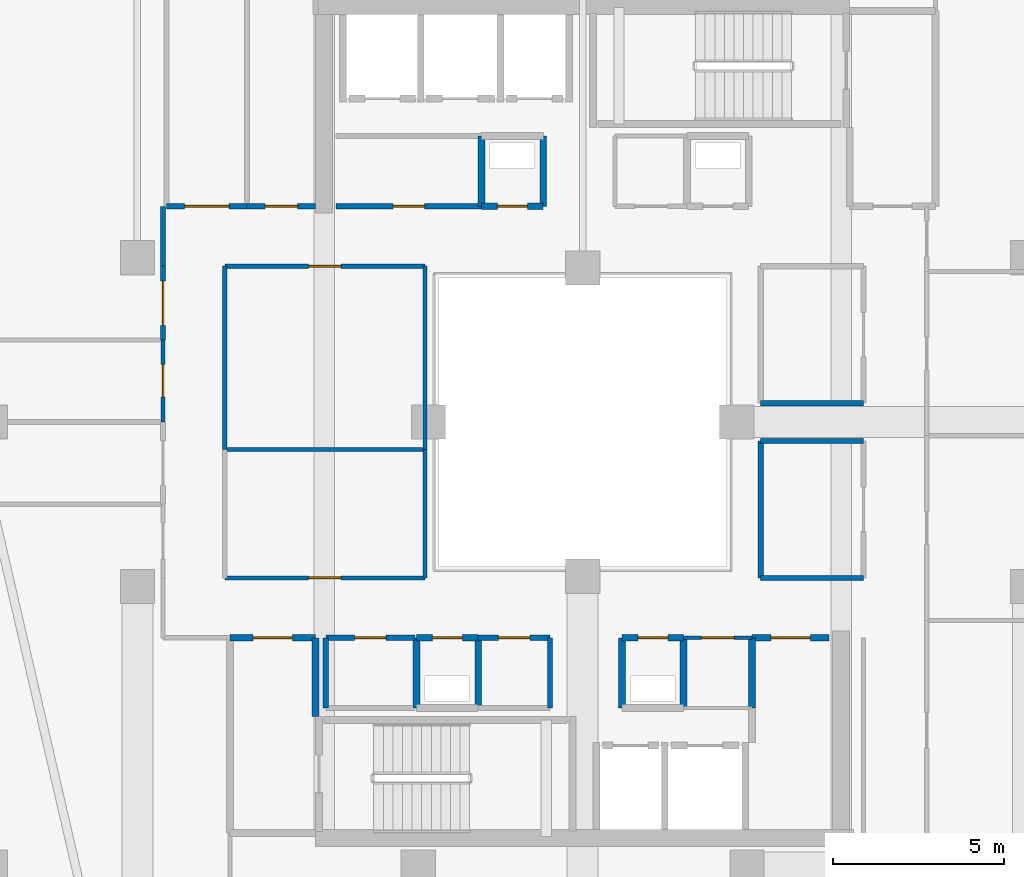
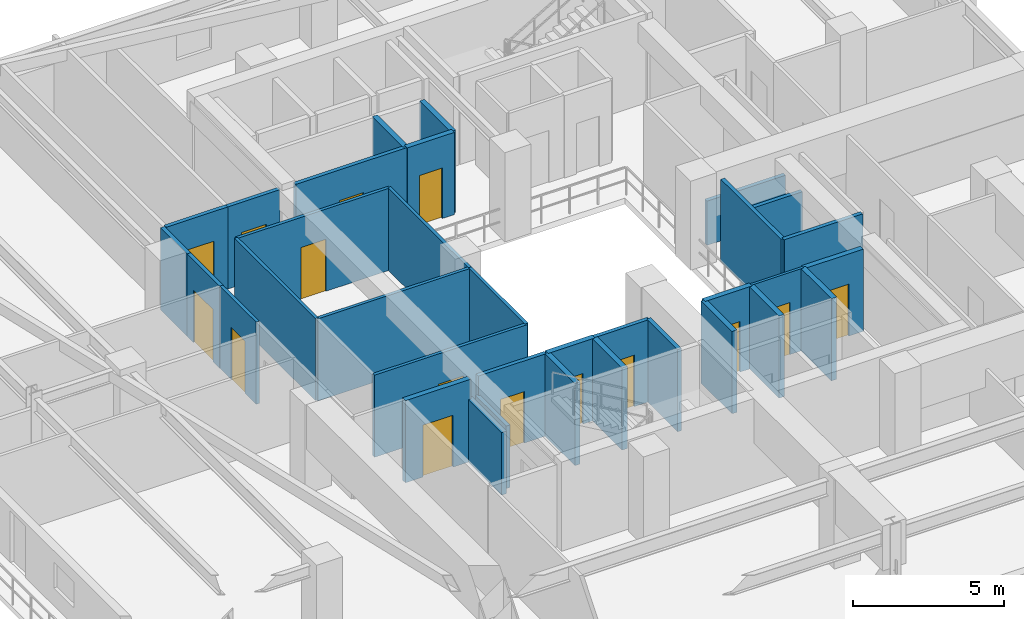
# One storey, part 21 of 34: 34 walls, 15 doors, 15 openings.
"""IFC4 building model written with IfcOpenShell, lengths in metres."""

import ifcopenshell
import ifcopenshell.guid

model = None  # the IFC model being written
_history = None  # IfcOwnerHistory: only IFC2X3 demands one
_inside = {}  # id of a spatial element -> (the spatial element, [elements in it])
_under = {}  # id of a project, library or spatial element -> (it, [spatial elements below it])
_declared = {}  # id of a project -> (the project, [libraries it declares])
_typed = {}  # id of a type object -> (the type object, [elements of that type])
_made_of = {}  # id of a material, layer set ... -> (it, [elements and type objects made of it])


def new_model(schema):
    """Start an empty IFC model of exactly this schema.

    Asked for "IFC4X3", IfcOpenShell would pick the latest addendum, in which some entities
    have other attributes; the version numbers below select the first issue.
    IFC2X3 requires an IfcOwnerHistory on every rooted entity: one is made here for all.
    """
    global model, _history
    if schema == "IFC4X3":
        model = ifcopenshell.file(schema_version=(4, 3, 0, 0))
    else:
        model = ifcopenshell.file(schema=schema)
    _inside.clear()
    _under.clear()
    _declared.clear()
    _typed.clear()
    _made_of.clear()
    _history = None
    if model.schema == "IFC2X3":
        org = make("IfcOrganization", Name="unknown")
        user = make(
            "IfcPersonAndOrganization",
            ThePerson=make("IfcPerson", FamilyName="unknown"),
            TheOrganization=org,
        )
        app = make(
            "IfcApplication",
            ApplicationDeveloper=org,
            Version="unknown",
            ApplicationFullName="unknown",
            ApplicationIdentifier="unknown",
        )
        _history = make(
            "IfcOwnerHistory",
            OwningUser=user,
            OwningApplication=app,
            ChangeAction="ADDED",
            CreationDate=0,
        )
    return model


def make(cls, **values):
    """One entity of the class cls with the attributes given. An attribute that is None is left unset."""
    return model.create_entity(
        cls, **{name: value for name, value in values.items() if value is not None}
    )


def rooted(cls, **values):
    """An entity with a GlobalId (a new one), such as an element, a storey or a relation."""
    return make(cls, GlobalId=ifcopenshell.guid.new(), OwnerHistory=_history, **values)


def si_unit(unit_type, name, prefix=None):
    """IfcSIUnit, for example si_unit("LENGTHUNIT", "METRE", prefix="MILLI")."""
    return make("IfcSIUnit", UnitType=unit_type, Prefix=prefix, Name=name)


def assignment(units):
    """IfcUnitAssignment: the units of a project."""
    return None if units is None else make("IfcUnitAssignment", Units=units)


def point(xyz):
    """IfcCartesianPoint."""
    return None if xyz is None else make("IfcCartesianPoint", Coordinates=xyz)


def direction(xyz):
    """IfcDirection."""
    return None if xyz is None else make("IfcDirection", DirectionRatios=xyz)


def frame(location, z_axis=None, x_axis=None):
    """IfcAxis2Placement3D, a coordinate frame: its origin and axes. An axis left out is left unset."""
    return make(
        "IfcAxis2Placement3D",
        Location=point(location),
        Axis=direction(z_axis),
        RefDirection=direction(x_axis),
    )


def frame_2d(location, x_axis=None):
    """IfcAxis2Placement2D, a coordinate frame in the plane: its origin and x axis."""
    return make(
        "IfcAxis2Placement2D", Location=point(location), RefDirection=direction(x_axis)
    )


def origin():
    """The frame at (0, 0, 0) with its axes left unset."""
    return frame((0.0, 0.0, 0.0))


def place(relative_to, where):
    """IfcLocalPlacement: puts the frame where relative to a parent placement (None: the world)."""
    return make(
        "IfcLocalPlacement", PlacementRelTo=relative_to, RelativePlacement=where
    )


def context(
    kind, dimensions, precision=None, world=None, true_north=None, identifier=None
):
    """IfcGeometricRepresentationContext, for example the 3D "Model" context."""
    return make(
        "IfcGeometricRepresentationContext",
        ContextIdentifier=identifier,
        ContextType=kind,
        CoordinateSpaceDimension=dimensions,
        Precision=precision,
        WorldCoordinateSystem=world,
        TrueNorth=true_north,
    )


def subcontext(parent, identifier, kind, view, scale=None):
    """IfcGeometricRepresentationSubContext, for example "Body" below "Model"."""
    return make(
        "IfcGeometricRepresentationSubContext",
        ContextIdentifier=identifier,
        ContextType=kind,
        ParentContext=parent,
        TargetScale=scale,
        TargetView=view,
    )


def project(units=None, contexts=None):
    """IfcProject with its units and contexts."""
    return rooted(
        "IfcProject",
        Name="project",
        RepresentationContexts=contexts,
        UnitsInContext=assignment(units),
    )


def spatial(cls, under=None, at=None, **own):
    """A site, building, storey or space (cls), placed at a placement, below another one or the project."""
    s = rooted(cls, ObjectPlacement=at, **own)
    if under is not None:
        _under.setdefault(under.id(), (under, []))[1].append(s)
    return s


def profile(cls, at=None, kind="AREA", **sizes):
    """A parametric profile (cls). Its sizes go by their IFC names, for example OverallWidth=200.0."""
    return make(cls, ProfileType=kind, Position=at, **sizes)


def rectangle(**sizes):
    """IfcRectangleProfileDef."""
    return profile("IfcRectangleProfileDef", **sizes)


def extrude(swept, where, along, depth):
    """IfcExtrudedAreaSolid: the profile swept, set in the frame where, extruded along a direction by depth."""
    return make(
        "IfcExtrudedAreaSolid",
        SweptArea=swept,
        Position=where,
        ExtrudedDirection=direction(along),
        Depth=depth,
    )


def shape(context_of_items, identifier, shape_type, items):
    """IfcShapeRepresentation: the items that make up one representation, for example the "Body"."""
    return make(
        "IfcShapeRepresentation",
        ContextOfItems=context_of_items,
        RepresentationIdentifier=identifier,
        RepresentationType=shape_type,
        Items=items,
    )


def material(Name=None, Category=None):
    """IfcMaterial."""
    return make("IfcMaterial", Name=Name, Category=Category)


def layer(
    of_material, thickness, ventilated=None, Name=None, Category=None, Priority=None
):
    """IfcMaterialLayer: one layer of a wall or slab, of a material (None: an air gap)."""
    return make(
        "IfcMaterialLayer",
        Material=of_material,
        LayerThickness=thickness,
        IsVentilated=ventilated,
        Name=Name,
        Category=Category,
        Priority=Priority,
    )


def layer_set(layers, Name=None):
    """IfcMaterialLayerSet."""
    return make("IfcMaterialLayerSet", MaterialLayers=layers, LayerSetName=Name)


def made_of(thing, what):
    """Note that an element or type object is made of a material, layer set ...; save() writes the relation."""
    if what is not None:
        _made_of.setdefault(what.id(), (what, []))[1].append(thing)
    return thing


def type_object(cls, material=None, **own):
    """A type object (cls), such as IfcWallType, which elements share."""
    return made_of(rooted(cls, **own), material)


def element(
    cls,
    number,
    at=None,
    inside=None,
    cuts=None,
    type_object=None,
    material=None,
    context=None,
    identifier="Body",
    shape_type=None,
    held_by="IfcProductDefinitionShape",
    body=None,
    shapes=None,
    **own,
):
    """One element of the class cls, such as IfcWall. Its Tag is "e" and its number.

    at: its placement. inside: the storey or other place that contains it. cuts: it is an
    opening in that element (IfcRelVoidsElement). A single representation is given by context,
    identifier, shape_type and body (its items); several are given by shapes. held_by: the class
    of the entity that holds the representations. save() writes the other relations.
    """
    e = rooted(cls, Tag="e%d" % number, ObjectPlacement=at, **own)
    if body is not None:
        shapes = [shape(context, identifier, shape_type, body)]
    if shapes is not None:
        e.Representation = make(held_by, Representations=shapes)
    if inside is not None:
        _inside.setdefault(inside.id(), (inside, []))[1].append(e)
    if cuts is not None:
        rooted(
            "IfcRelVoidsElement", RelatingBuildingElement=cuts, RelatedOpeningElement=e
        )
    if type_object is not None:
        _typed.setdefault(type_object.id(), (type_object, []))[1].append(e)
    return made_of(e, material)


def fill(opening, filler):
    """IfcRelFillsElement: the door or window that sits in an opening."""
    return rooted(
        "IfcRelFillsElement",
        RelatingOpeningElement=opening,
        RelatedBuildingElement=filler,
    )


def aggregate(whole, parts):
    """IfcRelAggregates: a whole, such as a stair, and the parts it consists of."""
    return rooted("IfcRelAggregates", RelatingObject=whole, RelatedObjects=parts)


def save(model, path):
    """Write the relations noted so far, then the file.

    IfcRelAggregates (storeys below a building ...), IfcRelContainedInSpatialStructure (elements
    in a storey), IfcRelDefinesByType, IfcRelAssociatesMaterial and IfcRelDeclares: one each for
    every whole, place, type object, material and project.
    """
    for whole, parts in _under.values():
        aggregate(whole, parts)
    for where, things in _inside.values():
        rooted(
            "IfcRelContainedInSpatialStructure",
            RelatedElements=things,
            RelatingStructure=where,
        )
    for kind, things in _typed.values():
        rooted("IfcRelDefinesByType", RelatedObjects=things, RelatingType=kind)
    for what, things in _made_of.values():
        rooted("IfcRelAssociatesMaterial", RelatedObjects=things, RelatingMaterial=what)
    for by, libraries in _declared.values():
        rooted("IfcRelDeclares", RelatingContext=by, RelatedDefinitions=libraries)
    model.write(path)


model = new_model("IFC4")

# Units and contexts
model_context = context("Model", 3, precision=1e-05, world=origin(), true_north=direction((0.0, 1.0)))
body_context = subcontext(model_context, "Body", "Model", "MODEL_VIEW")
ifc_project = project(units=[si_unit("LENGTHUNIT", "METRE"), si_unit("AREAUNIT", "SQUARE_METRE"), si_unit("VOLUMEUNIT", "CUBIC_METRE"), si_unit("PLANEANGLEUNIT", "RADIAN"), si_unit("MASSUNIT", "GRAM", prefix="KILO")], contexts=[model_context])

# Site, building, storey
site_placement = place(None, origin())
site = spatial("IfcSite", under=ifc_project, at=site_placement, CompositionType="ELEMENT")
building_placement = place(site_placement, origin())
building = spatial("IfcBuilding", under=site, at=building_placement, Name="Thornwick Lancets Civic Towers", CompositionType="ELEMENT")
storey_placement = place(building_placement, frame((0.0, 0.0, 251.10009765625)))
storey = spatial("IfcBuildingStorey", under=building, at=storey_placement, Name="L67", CompositionType="ELEMENT", Elevation=251.10009765625)

# Wall
ifc_material_1 = material(Name="Concrete blockwork C40/50", Category="masonry")
ifc_layer_1 = layer(ifc_material_1, 0.199951171875, Name="Concrete blockwork C40/50")
ifc_layer_set_1 = layer_set([ifc_layer_1], Name="Concrete blockwork C40/50")
wall_type_1 = type_object("IfcWallType", Name="WALL_COMP_200", PredefinedType="STANDARD", material=ifc_layer_set_1)
wall_1_placement = place(storey_placement, frame((17.699951171875, 18.39990234375, 0.0), z_axis=(0.0, 0.0, 1.0), x_axis=(0.0, 1.0, 0.0)))
element("IfcWall", 1, at=wall_1_placement, inside=storey, type_object=wall_type_1, Name="L67 Partition L67-A-FFLOB1 E2", PredefinedType="STANDARD", context=body_context, shape_type="SweptSolid", body=[
    extrude(rectangle(XDim=2.300048828125, YDim=0.199951171875, at=frame_2d((1.14990234375, 0.0))), origin(), (0.0, 0.0, 1.0), 2.52490234375),
])

# Wall, opening, door
wall_2_placement = place(storey_placement, frame((17.699951171875, 20.699951171875, 0.0), z_axis=(0.0, 0.0, 1.0), x_axis=(-1.0, 0.0, 0.0)))
wall_2 = element("IfcWall", 2, at=wall_2_placement, inside=storey, type_object=wall_type_1, Name="L67 Partition L67-A-FFLOB1 E3", PredefinedType="STANDARD", context=body_context, shape_type="SweptSolid", body=[
    extrude(rectangle(XDim=2.5, YDim=0.199951171875, at=frame_2d((1.25, 0.0))), origin(), (0.0, 0.0, 1.0), 3.31982421875),
])
opening_1_placement = place(wall_2_placement, frame((0.675048828125, 0.0, 0.0)))
opening_1 = element("IfcOpeningElement", 3, at=opening_1_placement, cuts=wall_2, Name="Opening D-L67-3033", PredefinedType="OPENING", context=body_context, shape_type="SweptSolid", body=[
    extrude(rectangle(XDim=1.14990234375, YDim=2.10009765625, at=frame_2d((0.574951171875, 1.050048828125))), frame((0.0, 0.10986328125, 0.0), z_axis=(0.0, -1.0, 0.0), x_axis=(1.0, 0.0, 0.0)), (0.0, 0.0, 1.0), 0.219970703125),
])
ifc_material_2 = material(Name="Glazed fire-resisting steel", Category="steel")
door_type_1 = type_object("IfcDoorType", Name="DOOR_LOBBY_FD60", OperationType="NOTDEFINED", PredefinedType="DOOR", material=ifc_material_2)
door_1_placement = place(opening_1_placement, origin())
door_1 = element("IfcDoor", 4, at=door_1_placement, inside=storey, type_object=door_type_1, Name="L67 South Firefighting Lobby 1 Door", OperationType="SINGLE_SWING_RIGHT", OverallHeight=2.10009765625, OverallWidth=1.14990234375, PredefinedType="DOOR", context=body_context, shape_type="SweptSolid", body=[
    extrude(rectangle(XDim=1.14990234375, YDim=2.10009765625, at=frame_2d((0.574951171875, 1.050048828125))), frame((0.0, 0.02490234375, 0.0), z_axis=(0.0, -1.0, 0.0), x_axis=(1.0, 0.0, 0.0)), (0.0, 0.0, 1.0), 0.050048828125),
])
fill(opening_1, door_1)

# Wall
wall_3_placement = place(storey_placement, frame((28.449951171875, 18.64990234375, 0.0), z_axis=(0.0, 0.0, 1.0), x_axis=(0.0, 1.0, 0.0)))
element("IfcWall", 5, at=wall_3_placement, inside=storey, type_object=wall_type_1, Name="L67 Partition L67-A-DUCT1 E2", PredefinedType="STANDARD", context=body_context, shape_type="SweptSolid", body=[
    extrude(rectangle(XDim=2.050048828125, YDim=0.199951171875, at=frame_2d((1.02490234375, 0.0))), origin(), (0.0, 0.0, 1.0), 3.31982421875),
])

# Wall, opening, door
wall_4_placement = place(storey_placement, frame((28.449951171875, 20.699951171875, 0.0), z_axis=(0.0, 0.0, 1.0), x_axis=(-1.0, 0.0, 0.0)))
wall_4 = element("IfcWall", 6, at=wall_4_placement, inside=storey, type_object=wall_type_1, Name="L67 Partition L67-A-DUCT1 E3", PredefinedType="STANDARD", context=body_context, shape_type="SweptSolid", body=[
    extrude(rectangle(XDim=1.800048828125, YDim=0.199951171875, at=frame_2d((0.89990234375, 0.0))), origin(), (0.0, 0.0, 1.0), 3.31982421875),
])
opening_2_placement = place(wall_4_placement, frame((0.4599609375, 0.0, 0.0)))
opening_2 = element("IfcOpeningElement", 7, at=opening_2_placement, cuts=wall_4, Name="Opening D-L67-3035", PredefinedType="OPENING", context=body_context, shape_type="SweptSolid", body=[
    extrude(rectangle(XDim=0.8798828125, YDim=2.0400390625, at=frame_2d((0.43994140625, 1.02001953125))), frame((0.0, 0.10986328125, 0.0), z_axis=(0.0, -1.0, 0.0), x_axis=(1.0, 0.0, 0.0)), (0.0, 0.0, 1.0), 0.219970703125),
])
ifc_material_3 = material(Name="Steel riser access doorset", Category="steel")
door_type_2 = type_object("IfcDoorType", Name="DOOR_RISER_850", OperationType="NOTDEFINED", PredefinedType="DOOR", material=ifc_material_3)
door_2_placement = place(opening_2_placement, origin())
door_2 = element("IfcDoor", 8, at=door_2_placement, inside=storey, type_object=door_type_2, Name="L67 South Service Duct 1 Door", OperationType="SINGLE_SWING_RIGHT", OverallHeight=2.0400390625, OverallWidth=0.8798828125, PredefinedType="DOOR", context=body_context, shape_type="SweptSolid", body=[
    extrude(rectangle(XDim=0.8798828125, YDim=2.0400390625, at=frame_2d((0.43994140625, 1.02001953125))), frame((0.0, 0.02490234375, 0.0), z_axis=(0.0, -1.0, 0.0), x_axis=(1.0, 0.0, 0.0)), (0.0, 0.0, 1.0), 0.050048828125),
])
fill(opening_2, door_2)

# Walls
for number, where, z_axis, x_axis, name in (
    (9, (26.64990234375, 20.699951171875, 0.0), (0.0, 0.0, 1.0), (0.0, -1.0, 0.0), "L67 Partition L67-A-DUCT1 E4"),
    (10, (22.449951171875, 18.64990234375, 0.0), (0.0, 0.0, 1.0), (0.0, 1.0, 0.0), "L67 Partition L67-A-RISER1 E2"),
):
    element("IfcWall", number, at=place(storey_placement, frame(where, z_axis=z_axis, x_axis=x_axis)), inside=storey, type_object=wall_type_1, Name=name, PredefinedType="STANDARD", context=body_context, shape_type="SweptSolid", body=[
        extrude(rectangle(XDim=2.050048828125, YDim=0.199951171875, at=frame_2d((1.02490234375, 0.0))), origin(), (0.0, 0.0, 1.0), 3.31982421875),
    ])

# Wall, opening, door
wall_5_placement = place(storey_placement, frame((22.449951171875, 20.699951171875, 0.0), z_axis=(0.0, 0.0, 1.0), x_axis=(-1.0, 0.0, 0.0)))
wall_5 = element("IfcWall", 11, at=wall_5_placement, inside=storey, type_object=wall_type_1, Name="L67 Partition L67-A-RISER1 E3", PredefinedType="STANDARD", context=body_context, shape_type="SweptSolid", body=[
    extrude(rectangle(XDim=1.800048828125, YDim=0.199951171875, at=frame_2d((0.89990234375, 0.0))), origin(), (0.0, 0.0, 1.0), 3.31982421875),
])
opening_3_placement = place(wall_5_placement, frame((0.4599609375, 0.0, 0.0)))
opening_3 = element("IfcOpeningElement", 12, at=opening_3_placement, cuts=wall_5, Name="Opening D-L67-3036", PredefinedType="OPENING", context=body_context, shape_type="SweptSolid", body=[
    extrude(rectangle(XDim=0.8798828125, YDim=2.0400390625, at=frame_2d((0.43994140625, 1.02001953125))), frame((0.0, 0.10986328125, 0.0), z_axis=(0.0, -1.0, 0.0), x_axis=(1.0, 0.0, 0.0)), (0.0, 0.0, 1.0), 0.219970703125),
])
door_3_placement = place(opening_3_placement, origin())
door_3 = element("IfcDoor", 13, at=door_3_placement, inside=storey, type_object=door_type_2, Name="L67 South Electrical Riser 1 Door", OperationType="SINGLE_SWING_LEFT", OverallHeight=2.0400390625, OverallWidth=0.8798828125, PredefinedType="DOOR", context=body_context, shape_type="SweptSolid", body=[
    extrude(rectangle(XDim=0.8798828125, YDim=2.0400390625, at=frame_2d((0.43994140625, 1.02001953125))), frame((0.0, 0.02490234375, 0.0), z_axis=(0.0, -1.0, 0.0), x_axis=(1.0, 0.0, 0.0)), (0.0, 0.0, 1.0), 0.050048828125),
])
fill(opening_3, door_3)

# Wall
wall_6_placement = place(storey_placement, frame((20.64990234375, 20.699951171875, 0.0), z_axis=(0.0, 0.0, 1.0), x_axis=(0.0, -1.0, 0.0)))
element("IfcWall", 14, at=wall_6_placement, inside=storey, type_object=wall_type_1, Name="L67 Partition L67-A-RISER1 E4", PredefinedType="STANDARD", context=body_context, shape_type="SweptSolid", body=[
    extrude(rectangle(XDim=2.050048828125, YDim=0.199951171875, at=frame_2d((1.02490234375, 0.0))), origin(), (0.0, 0.0, 1.0), 3.31982421875),
])

# Wall, opening, door
wall_7_placement = place(storey_placement, frame((22.550048828125, 33.300048828125, 0.0), z_axis=(0.0, 0.0, 1.0), x_axis=(1.0, 0.0, 0.0)))
wall_7 = element("IfcWall", 15, at=wall_7_placement, inside=storey, type_object=wall_type_1, Name="L67 Partition L67-A-DUCT2 E1", PredefinedType="STANDARD", context=body_context, shape_type="SweptSolid", body=[
    extrude(rectangle(XDim=1.800048828125, YDim=0.199951171875, at=frame_2d((0.89990234375, 0.0))), origin(), (0.0, 0.0, 1.0), 3.31982421875),
])
opening_4_placement = place(wall_7_placement, frame((0.4599609375, 0.0, 0.0)))
opening_4 = element("IfcOpeningElement", 16, at=opening_4_placement, cuts=wall_7, Name="Opening D-L67-3037", PredefinedType="OPENING", context=body_context, shape_type="SweptSolid", body=[
    extrude(rectangle(XDim=0.8798828125, YDim=2.0400390625, at=frame_2d((0.43994140625, 1.02001953125))), frame((0.0, 0.10986328125, 0.0), z_axis=(0.0, -1.0, 0.0), x_axis=(1.0, 0.0, 0.0)), (0.0, 0.0, 1.0), 0.219970703125),
])
door_4_placement = place(opening_4_placement, origin())
door_4 = element("IfcDoor", 17, at=door_4_placement, inside=storey, type_object=door_type_2, Name="L67 North Service Duct 2 Door", OperationType="SINGLE_SWING_RIGHT", OverallHeight=2.0400390625, OverallWidth=0.8798828125, PredefinedType="DOOR", context=body_context, shape_type="SweptSolid", body=[
    extrude(rectangle(XDim=0.8798828125, YDim=2.0400390625, at=frame_2d((0.43994140625, 1.02001953125))), frame((0.0, 0.02490234375, 0.0), z_axis=(0.0, -1.0, 0.0), x_axis=(1.0, 0.0, 0.0)), (0.0, 0.0, 1.0), 0.050048828125),
])
fill(opening_4, door_4)

# Walls
for number, where, z_axis, x_axis, name in (
    (18, (24.35009765625, 33.300048828125, 0.0), (0.0, 0.0, 1.0), (0.0, 1.0, 0.0), "L67 Partition L67-A-DUCT2 E2"),
    (19, (22.550048828125, 35.35009765625, 0.0), (0.0, 0.0, 1.0), (0.0, -1.0, 0.0), "L67 Partition L67-A-DUCT2 E4"),
    (20, (30.449951171875, 18.64990234375, 0.0), (0.0, 0.0, 1.0), (0.0, 1.0, 0.0), "L67 Partition L67-A-ITR2 E4"),
):
    element("IfcWall", number, at=place(storey_placement, frame(where, z_axis=z_axis, x_axis=x_axis)), inside=storey, type_object=wall_type_1, Name=name, PredefinedType="STANDARD", context=body_context, shape_type="SweptSolid", body=[
        extrude(rectangle(XDim=2.050048828125, YDim=0.199951171875, at=frame_2d((1.02490234375, 0.0))), origin(), (0.0, 0.0, 1.0), 3.31982421875),
    ])

# Wall, opening, door
wall_8_placement = place(storey_placement, frame((30.449951171875, 20.699951171875, 0.0), z_axis=(0.0, 0.0, 1.0), x_axis=(1.0, 0.0, 0.0)))
wall_8 = element("IfcWall", 21, at=wall_8_placement, inside=storey, type_object=wall_type_1, Name="L67 Partition L67-A-ITR2 E5", PredefinedType="STANDARD", context=body_context, shape_type="SweptSolid", body=[
    extrude(rectangle(XDim=2.25, YDim=0.199951171875, at=frame_2d((1.125, 0.0))), origin(), (0.0, 0.0, 1.0), 3.31982421875),
])
opening_5_placement = place(wall_8_placement, frame((0.550048828125, 0.0, 0.0)))
opening_5 = element("IfcOpeningElement", 22, at=opening_5_placement, cuts=wall_8, Name="Opening D-L67-3042", PredefinedType="OPENING", context=body_context, shape_type="SweptSolid", body=[
    extrude(rectangle(XDim=1.14990234375, YDim=2.10009765625, at=frame_2d((0.574951171875, 1.050048828125))), frame((0.0, 0.10986328125, 0.0), z_axis=(0.0, -1.0, 0.0), x_axis=(1.0, 0.0, 0.0)), (0.0, 0.0, 1.0), 0.219970703125),
])
door_5_placement = place(opening_5_placement, origin())
door_5 = element("IfcDoor", 23, at=door_5_placement, inside=storey, type_object=door_type_1, Name="L67 Tower A Statutory Core Archive Door", OperationType="SINGLE_SWING_LEFT", OverallHeight=2.10009765625, OverallWidth=1.14990234375, PredefinedType="DOOR", context=body_context, shape_type="SweptSolid", body=[
    extrude(rectangle(XDim=1.14990234375, YDim=2.10009765625, at=frame_2d((0.574951171875, 1.050048828125))), frame((0.0, 0.02490234375, 0.0), z_axis=(0.0, -1.0, 0.0), x_axis=(1.0, 0.0, 0.0)), (0.0, 0.0, 1.0), 0.050048828125),
])
fill(opening_5, door_5)

ifc_material_4 = material(Name="Lightweight cellular office partition")
ifc_layer_2 = layer(ifc_material_4, 0.10009765625, Name="Lightweight cellular office partition")
ifc_layer_set_2 = layer_set([ifc_layer_2], Name="Lightweight cellular office partition")
wall_type_2 = type_object("IfcWallType", Name="WALL_PART_100", PredefinedType="PARTITIONING", material=ifc_layer_set_2)
wall_9_placement = place(storey_placement, frame((28.449951171875, 20.699951171875, 0.0), z_axis=(0.0, 0.0, 1.0), x_axis=(1.0, 0.0, 0.0)))
wall_9 = element("IfcWall", 24, at=wall_9_placement, inside=storey, type_object=wall_type_2, Name="L67 Partition L67-A-CLN E4", PredefinedType="PARTITIONING", context=body_context, shape_type="SweptSolid", body=[
    extrude(rectangle(XDim=2.0, YDim=0.10009765625, at=frame_2d((1.0, 0.0))), origin(), (0.0, 0.0, 1.0), 3.31982421875),
])
opening_6_placement = place(wall_9_placement, frame((0.52490234375, 0.0, 0.0)))
opening_6 = element("IfcOpeningElement", 25, at=opening_6_placement, cuts=wall_9, Name="Opening D-L67-3041", PredefinedType="OPENING", context=body_context, shape_type="SweptSolid", body=[
    extrude(rectangle(XDim=0.949951171875, YDim=2.10009765625, at=frame_2d((0.47509765625, 1.050048828125))), frame((0.0, 0.06005859375, 0.0), z_axis=(0.0, -1.0, 0.0), x_axis=(1.0, 0.0, 0.0)), (0.0, 0.0, 1.0), 0.1201171875),
])
ifc_material_5 = material(Name="European oak acoustic doorset")
door_type_3 = type_object("IfcDoorType", Name="DOOR_OFFICE_950", OperationType="NOTDEFINED", PredefinedType="DOOR", material=ifc_material_5)
door_6_placement = place(opening_6_placement, origin())
door_6 = element("IfcDoor", 26, at=door_6_placement, inside=storey, type_object=door_type_3, Name="L67 Tower A Cleaners Store Door", OperationType="SINGLE_SWING_RIGHT", OverallHeight=2.10009765625, OverallWidth=0.949951171875, PredefinedType="DOOR", context=body_context, shape_type="SweptSolid", body=[
    extrude(rectangle(XDim=0.949951171875, YDim=2.10009765625, at=frame_2d((0.47509765625, 1.050048828125))), frame((0.0, 0.02490234375, 0.0), z_axis=(0.0, -1.0, 0.0), x_axis=(1.0, 0.0, 0.0)), (0.0, 0.0, 1.0), 0.050048828125),
])
fill(opening_6, door_6)

ifc_material_6 = material(Name="Acoustic gypsum board partition")
ifc_layer_3 = layer(ifc_material_6, 0.1201171875, Name="Acoustic gypsum board partition")
ifc_layer_set_3 = layer_set([ifc_layer_3], Name="Acoustic gypsum board partition")
wall_type_3 = type_object("IfcWallType", Name="WALL_PART_120", PredefinedType="PARTITIONING", material=ifc_layer_set_3)
wall_10_placement = place(storey_placement, frame((13.25, 29.39990234375, 0.0), z_axis=(0.0, 0.0, 1.0), x_axis=(0.0, -1.0, 0.0)))
wall_10 = element("IfcWall", 27, at=wall_10_placement, inside=storey, type_object=wall_type_3, Name="L67 Partition L67-A-W2B E4", PredefinedType="PARTITIONING", context=body_context, shape_type="SweptSolid", body=[
    extrude(rectangle(XDim=2.39990234375, YDim=0.1201171875, at=frame_2d((1.199951171875, 0.0))), origin(), (0.0, 0.0, 1.0), 3.31982421875),
])
opening_7_placement = place(wall_10_placement, frame((0.72509765625, 0.0, 0.0)))
opening_7 = element("IfcOpeningElement", 28, at=opening_7_placement, cuts=wall_10, Name="Opening D-L67-3062", PredefinedType="OPENING", context=body_context, shape_type="SweptSolid", body=[
    extrude(rectangle(XDim=0.949951171875, YDim=2.10009765625, at=frame_2d((0.47509765625, 1.050048828125))), frame((0.0, 0.070068359375, 0.0), z_axis=(0.0, -1.0, 0.0), x_axis=(1.0, 0.0, 0.0)), (0.0, 0.0, 1.0), 0.14013671875),
])
door_7_placement = place(opening_7_placement, origin())
door_7 = element("IfcDoor", 29, at=door_7_placement, inside=storey, type_object=door_type_3, Name="L67 Tower A Senior Counsel Office W2B Door", OperationType="SINGLE_SWING_LEFT", OverallHeight=2.10009765625, OverallWidth=0.949951171875, PredefinedType="DOOR", context=body_context, shape_type="SweptSolid", body=[
    extrude(rectangle(XDim=0.949951171875, YDim=2.10009765625, at=frame_2d((0.47509765625, 1.050048828125))), frame((0.0, 0.02490234375, 0.0), z_axis=(0.0, -1.0, 0.0), x_axis=(1.0, 0.0, 0.0)), (0.0, 0.0, 1.0), 0.050048828125),
])
fill(opening_7, door_7)

# Walls
wall_11_placement = place(storey_placement, frame((15.050048828125, 26.199951171875, 0.0), z_axis=(0.0, 0.0, 1.0), x_axis=(1.0, 0.0, 0.0)))
element("IfcWall", 30, at=wall_11_placement, inside=storey, type_object=wall_type_3, Name="L67 Partition L67-A-W3 E2", PredefinedType="PARTITIONING", context=body_context, shape_type="SweptSolid", body=[
    extrude(rectangle(XDim=5.849853515625, YDim=0.1201171875, at=frame_2d((2.9248046875, 0.0))), origin(), (0.0, 0.0, 1.0), 3.31982421875),
])
wall_12_placement = place(storey_placement, frame((20.89990234375, 26.199951171875, 0.0), z_axis=(0.0, 0.0, 1.0), x_axis=(0.0, -1.0, 0.0)))
element("IfcWall", 31, at=wall_12_placement, inside=storey, type_object=wall_type_3, Name="L67 Partition L67-A-W3 E3", PredefinedType="PARTITIONING", context=body_context, shape_type="SweptSolid", body=[
    extrude(rectangle(XDim=3.75, YDim=0.1201171875, at=frame_2d((1.875, 0.0))), origin(), (0.0, 0.0, 1.0), 3.31982421875),
])

# Wall, opening, door
wall_13_placement = place(storey_placement, frame((20.89990234375, 22.449951171875, 0.0), z_axis=(0.0, 0.0, 1.0), x_axis=(-1.0, 0.0, 0.0)))
wall_13 = element("IfcWall", 32, at=wall_13_placement, inside=storey, type_object=wall_type_3, Name="L67 Partition L67-A-W3 E4", PredefinedType="PARTITIONING", context=body_context, shape_type="SweptSolid", body=[
    extrude(rectangle(XDim=5.849853515625, YDim=0.1201171875, at=frame_2d((2.9248046875, 0.0))), origin(), (0.0, 0.0, 1.0), 3.31982421875),
])
opening_8_placement = place(wall_13_placement, frame((2.449951171875, 0.0, 0.0)))
opening_8 = element("IfcOpeningElement", 33, at=opening_8_placement, cuts=wall_13, Name="Opening D-L67-3064", PredefinedType="OPENING", context=body_context, shape_type="SweptSolid", body=[
    extrude(rectangle(XDim=0.949951171875, YDim=2.10009765625, at=frame_2d((0.47509765625, 1.050048828125))), frame((0.0, 0.070068359375, 0.0), z_axis=(0.0, -1.0, 0.0), x_axis=(1.0, 0.0, 0.0)), (0.0, 0.0, 1.0), 0.14013671875),
])
door_8_placement = place(opening_8_placement, origin())
door_8 = element("IfcDoor", 34, at=door_8_placement, inside=storey, type_object=door_type_3, Name="L67 Tower A Staff Tea Pantry and Lounge Door", OperationType="SINGLE_SWING_LEFT", OverallHeight=2.10009765625, OverallWidth=0.949951171875, PredefinedType="DOOR", context=body_context, shape_type="SweptSolid", body=[
    extrude(rectangle(XDim=0.949951171875, YDim=2.10009765625, at=frame_2d((0.47509765625, 1.050048828125))), frame((0.0, 0.02490234375, 0.0), z_axis=(0.0, -1.0, 0.0), x_axis=(1.0, 0.0, 0.0)), (0.0, 0.0, 1.0), 0.050048828125),
])
fill(opening_8, door_8)

# Wall
wall_14_placement = place(storey_placement, frame((15.050048828125, 26.199951171875, 0.0), z_axis=(0.0, 0.0, 1.0), x_axis=(0.0, 1.0, 0.0)))
element("IfcWall", 35, at=wall_14_placement, inside=storey, type_object=wall_type_3, Name="L67 Partition L67-A-W4 E1", PredefinedType="PARTITIONING", context=body_context, shape_type="SweptSolid", body=[
    extrude(rectangle(XDim=5.35009765625, YDim=0.1201171875, at=frame_2d((2.675048828125, 0.0))), origin(), (0.0, 0.0, 1.0), 3.31982421875),
])

# Wall, opening, door
wall_15_placement = place(storey_placement, frame((15.050048828125, 31.550048828125, 0.0), z_axis=(0.0, 0.0, 1.0), x_axis=(1.0, 0.0, 0.0)))
wall_15 = element("IfcWall", 36, at=wall_15_placement, inside=storey, type_object=wall_type_3, Name="L67 Partition L67-A-W4 E2", PredefinedType="PARTITIONING", context=body_context, shape_type="SweptSolid", body=[
    extrude(rectangle(XDim=5.849853515625, YDim=0.1201171875, at=frame_2d((2.9248046875, 0.0))), origin(), (0.0, 0.0, 1.0), 3.31982421875),
])
opening_9_placement = place(wall_15_placement, frame((2.449951171875, 0.0, 0.0)))
opening_9 = element("IfcOpeningElement", 37, at=opening_9_placement, cuts=wall_15, Name="Opening D-L67-3065", PredefinedType="OPENING", context=body_context, shape_type="SweptSolid", body=[
    extrude(rectangle(XDim=0.949951171875, YDim=2.10009765625, at=frame_2d((0.47509765625, 1.050048828125))), frame((0.0, 0.070068359375, 0.0), z_axis=(0.0, -1.0, 0.0), x_axis=(1.0, 0.0, 0.0)), (0.0, 0.0, 1.0), 0.14013671875),
])
door_9_placement = place(opening_9_placement, origin())
door_9 = element("IfcDoor", 38, at=door_9_placement, inside=storey, type_object=door_type_3, Name="L67 Tower A Statutory Research Library W4 Door", OperationType="SINGLE_SWING_RIGHT", OverallHeight=2.10009765625, OverallWidth=0.949951171875, PredefinedType="DOOR", context=body_context, shape_type="SweptSolid", body=[
    extrude(rectangle(XDim=0.949951171875, YDim=2.10009765625, at=frame_2d((0.47509765625, 1.050048828125))), frame((0.0, 0.02490234375, 0.0), z_axis=(0.0, -1.0, 0.0), x_axis=(1.0, 0.0, 0.0)), (0.0, 0.0, 1.0), 0.050048828125),
])
fill(opening_9, door_9)

# Wall
wall_16_placement = place(storey_placement, frame((20.89990234375, 31.550048828125, 0.0), z_axis=(0.0, 0.0, 1.0), x_axis=(0.0, -1.0, 0.0)))
element("IfcWall", 39, at=wall_16_placement, inside=storey, type_object=wall_type_3, Name="L67 Partition L67-A-W4 E3", PredefinedType="PARTITIONING", context=body_context, shape_type="SweptSolid", body=[
    extrude(rectangle(XDim=5.35009765625, YDim=0.1201171875, at=frame_2d((2.675048828125, 0.0))), origin(), (0.0, 0.0, 1.0), 3.31982421875),
])

# Wall, opening, door
ifc_material_7 = material(Name="Twin-stud acoustic gypsum board")
ifc_layer_4 = layer(ifc_material_7, 0.14990234375, Name="Twin-stud acoustic gypsum board")
ifc_layer_set_4 = layer_set([ifc_layer_4], Name="Twin-stud acoustic gypsum board")
wall_type_4 = type_object("IfcWallType", Name="WALL_PART_150", PredefinedType="PARTITIONING", material=ifc_layer_set_4)
wall_17_placement = place(storey_placement, frame((20.60009765625, 20.699951171875, 0.0), z_axis=(0.0, 0.0, 1.0), x_axis=(-1.0, 0.0, 0.0)))
wall_17 = element("IfcWall", 40, at=wall_17_placement, inside=storey, type_object=wall_type_4, Name="L67 Partition L67-A-MWC E3", PredefinedType="PARTITIONING", context=body_context, shape_type="SweptSolid", body=[
    extrude(rectangle(XDim=2.60009765625, YDim=0.14990234375, at=frame_2d((1.300048828125, 0.0))), origin(), (0.0, 0.0, 1.0), 3.31982421875),
])
opening_10_placement = place(wall_17_placement, frame((0.840087890625, 0.0, 0.0)))
opening_10 = element("IfcOpeningElement", 41, at=opening_10_placement, cuts=wall_17, Name="Opening D-L67-3039", PredefinedType="OPENING", context=body_context, shape_type="SweptSolid", body=[
    extrude(rectangle(XDim=0.919921875, YDim=2.080078125, at=frame_2d((0.4599609375, 1.0400390625))), frame((0.0, 0.0849609375, 0.0), z_axis=(0.0, -1.0, 0.0), x_axis=(1.0, 0.0, 0.0)), (0.0, 0.0, 1.0), 0.169921875),
])
ifc_material_8 = material(Name="Moisture-resistant oak doorset")
door_type_4 = type_object("IfcDoorType", Name="DOOR_WC_900", OperationType="NOTDEFINED", PredefinedType="DOOR", material=ifc_material_8)
door_10_placement = place(opening_10_placement, origin())
door_10 = element("IfcDoor", 42, at=door_10_placement, inside=storey, type_object=door_type_4, Name="L67 Tower A Male WC Door", OperationType="SINGLE_SWING_RIGHT", OverallHeight=2.080078125, OverallWidth=0.919921875, PredefinedType="DOOR", context=body_context, shape_type="SweptSolid", body=[
    extrude(rectangle(XDim=0.919921875, YDim=2.080078125, at=frame_2d((0.4599609375, 1.0400390625))), frame((0.0, 0.02490234375, 0.0), z_axis=(0.0, -1.0, 0.0), x_axis=(1.0, 0.0, 0.0)), (0.0, 0.0, 1.0), 0.050048828125),
])
fill(opening_10, door_10)

# Walls
wall_18_placement = place(storey_placement, frame((18.0, 20.699951171875, 0.0), z_axis=(0.0, 0.0, 1.0), x_axis=(0.0, -1.0, 0.0)))
element("IfcWall", 43, at=wall_18_placement, inside=storey, type_object=wall_type_4, Name="L67 Partition L67-A-MWC E4", PredefinedType="PARTITIONING", context=body_context, shape_type="SweptSolid", body=[
    extrude(rectangle(XDim=2.050048828125, YDim=0.14990234375, at=frame_2d((1.02490234375, 0.0))), origin(), (0.0, 0.0, 1.0), 2.52490234375),
])
wall_19_placement = place(storey_placement, frame((24.550048828125, 20.699951171875, 0.0), z_axis=(0.0, 0.0, 1.0), x_axis=(0.0, -1.0, 0.0)))
element("IfcWall", 44, at=wall_19_placement, inside=storey, type_object=wall_type_4, Name="L67 Partition L67-A-AWC E1", PredefinedType="PARTITIONING", context=body_context, shape_type="SweptSolid", body=[
    extrude(rectangle(XDim=2.050048828125, YDim=0.14990234375, at=frame_2d((1.02490234375, 0.0))), origin(), (0.0, 0.0, 1.0), 3.31982421875),
])

# Wall, opening, door
wall_20_placement = place(storey_placement, frame((22.449951171875, 20.699951171875, 0.0), z_axis=(0.0, 0.0, 1.0), x_axis=(1.0, 0.0, 0.0)))
wall_20 = element("IfcWall", 45, at=wall_20_placement, inside=storey, type_object=wall_type_4, Name="L67 Partition L67-A-AWC E4", PredefinedType="PARTITIONING", context=body_context, shape_type="SweptSolid", body=[
    extrude(rectangle(XDim=2.10009765625, YDim=0.14990234375, at=frame_2d((1.050048828125, 0.0))), origin(), (0.0, 0.0, 1.0), 3.31982421875),
])
opening_11_placement = place(wall_20_placement, frame((0.590087890625, 0.0, 0.0)))
opening_11 = element("IfcOpeningElement", 46, at=opening_11_placement, cuts=wall_20, Name="Opening D-L67-3040", PredefinedType="OPENING", context=body_context, shape_type="SweptSolid", body=[
    extrude(rectangle(XDim=0.919921875, YDim=2.080078125, at=frame_2d((0.4599609375, 1.0400390625))), frame((0.0, 0.0849609375, 0.0), z_axis=(0.0, -1.0, 0.0), x_axis=(1.0, 0.0, 0.0)), (0.0, 0.0, 1.0), 0.169921875),
])
door_11_placement = place(opening_11_placement, origin())
door_11 = element("IfcDoor", 47, at=door_11_placement, inside=storey, type_object=door_type_4, Name="L67 Tower A Accessible WC Door", OperationType="SINGLE_SWING_LEFT", OverallHeight=2.080078125, OverallWidth=0.919921875, PredefinedType="DOOR", context=body_context, shape_type="SweptSolid", body=[
    extrude(rectangle(XDim=0.919921875, YDim=2.080078125, at=frame_2d((0.4599609375, 1.0400390625))), frame((0.0, 0.02490234375, 0.0), z_axis=(0.0, -1.0, 0.0), x_axis=(1.0, 0.0, 0.0)), (0.0, 0.0, 1.0), 0.050048828125),
])
fill(opening_11, door_11)

wall_21_placement = place(storey_placement, frame((22.550048828125, 33.300048828125, 0.0), z_axis=(0.0, 0.0, 1.0), x_axis=(-1.0, 0.0, 0.0)))
wall_21 = element("IfcWall", 48, at=wall_21_placement, inside=storey, type_object=wall_type_4, Name="L67 Partition L67-A-FWC E4", PredefinedType="PARTITIONING", context=body_context, shape_type="SweptSolid", body=[
    extrude(rectangle(XDim=4.25, YDim=0.14990234375, at=frame_2d((2.125, 0.0))), origin(), (0.0, 0.0, 1.0), 3.31982421875),
])
opening_12_placement = place(wall_21_placement, frame((1.6650390625, 0.0, 0.0)))
opening_12 = element("IfcOpeningElement", 49, at=opening_12_placement, cuts=wall_21, Name="Opening D-L67-3043", PredefinedType="OPENING", context=body_context, shape_type="SweptSolid", body=[
    extrude(rectangle(XDim=0.919921875, YDim=2.080078125, at=frame_2d((0.4599609375, 1.0400390625))), frame((0.0, 0.0849609375, 0.0), z_axis=(0.0, -1.0, 0.0), x_axis=(1.0, 0.0, 0.0)), (0.0, 0.0, 1.0), 0.169921875),
])
door_12_placement = place(opening_12_placement, origin())
door_12 = element("IfcDoor", 50, at=door_12_placement, inside=storey, type_object=door_type_4, Name="L67 Tower A Female WC Door", OperationType="SINGLE_SWING_RIGHT", OverallHeight=2.080078125, OverallWidth=0.919921875, PredefinedType="DOOR", context=body_context, shape_type="SweptSolid", body=[
    extrude(rectangle(XDim=0.919921875, YDim=2.080078125, at=frame_2d((0.4599609375, 1.0400390625))), frame((0.0, 0.02490234375, 0.0), z_axis=(0.0, -1.0, 0.0), x_axis=(1.0, 0.0, 0.0)), (0.0, 0.0, 1.0), 0.050048828125),
])
fill(opening_12, door_12)

wall_22_placement = place(storey_placement, frame((15.699951171875, 33.300048828125, 0.0), z_axis=(0.0, 0.0, 1.0), x_axis=(-1.0, 0.0, 0.0)))
wall_22 = element("IfcWall", 51, at=wall_22_placement, inside=storey, type_object=wall_type_4, Name="L67 Partition L67-A-RECLAIM-M1 E4", PredefinedType="PARTITIONING", context=body_context, shape_type="SweptSolid", body=[
    extrude(rectangle(XDim=2.349853515625, YDim=0.14990234375, at=frame_2d((1.1748046875, 0.0))), origin(), (0.0, 0.0, 1.0), 3.31982421875),
])
opening_13_placement = place(wall_22_placement, frame((0.52490234375, 0.0, 0.0)))
opening_13 = element("IfcOpeningElement", 52, at=opening_13_placement, cuts=wall_22, Name="Opening D-L67-3058", PredefinedType="OPENING", context=body_context, shape_type="SweptSolid", body=[
    extrude(rectangle(XDim=1.300048828125, YDim=2.1201171875, at=frame_2d((0.64990234375, 1.06005859375))), frame((0.0, 0.0849609375, 0.0), z_axis=(0.0, -1.0, 0.0), x_axis=(1.0, 0.0, 0.0)), (0.0, 0.0, 1.0), 0.169921875),
])
ifc_material_9 = material(Name="Acoustic oak leaf-and-a-half doorset")
door_type_5 = type_object("IfcDoorType", Name="DOOR_MEET_1300", OperationType="DOUBLE_DOOR_SINGLE_SWING", PredefinedType="DOOR", material=ifc_material_9)
door_13_placement = place(opening_13_placement, origin())
door_13 = element("IfcDoor", 53, at=door_13_placement, inside=storey, type_object=door_type_5, Name="L67 Tower A Diplomatic Conference Room Door", OperationType="DOUBLE_DOOR_SINGLE_SWING", OverallHeight=2.1201171875, OverallWidth=1.300048828125, PredefinedType="DOOR", context=body_context, shape_type="SweptSolid", body=[
    extrude(rectangle(XDim=1.300048828125, YDim=2.1201171875, at=frame_2d((0.64990234375, 1.06005859375))), frame((0.0, 0.02490234375, 0.0), z_axis=(0.0, -1.0, 0.0), x_axis=(1.0, 0.0, 0.0)), (0.0, 0.0, 1.0), 0.050048828125),
])
fill(opening_13, door_13)

wall_23_placement = place(storey_placement, frame((17.699951171875, 33.300048828125, 0.0), z_axis=(0.0, 0.0, 1.0), x_axis=(-1.0, 0.0, 0.0)))
wall_23 = element("IfcWall", 54, at=wall_23_placement, inside=storey, type_object=wall_type_4, Name="L67 Partition L67-A-RECLAIM-M2 E4", PredefinedType="PARTITIONING", context=body_context, shape_type="SweptSolid", body=[
    extrude(rectangle(XDim=2.0, YDim=0.14990234375, at=frame_2d((1.0, 0.0))), origin(), (0.0, 0.0, 1.0), 3.31982421875),
])
opening_14_placement = place(wall_23_placement, frame((0.52490234375, 0.0, 0.0)))
opening_14 = element("IfcOpeningElement", 55, at=opening_14_placement, cuts=wall_23, Name="Opening D-L67-3059", PredefinedType="OPENING", context=body_context, shape_type="SweptSolid", body=[
    extrude(rectangle(XDim=0.949951171875, YDim=2.10009765625, at=frame_2d((0.47509765625, 1.050048828125))), frame((0.0, 0.0849609375, 0.0), z_axis=(0.0, -1.0, 0.0), x_axis=(1.0, 0.0, 0.0)), (0.0, 0.0, 1.0), 0.169921875),
])
door_14_placement = place(opening_14_placement, origin())
door_14 = element("IfcDoor", 56, at=door_14_placement, inside=storey, type_object=door_type_3, Name="L67 Tower A Executive Records Archive Door", OperationType="SINGLE_SWING_RIGHT", OverallHeight=2.10009765625, OverallWidth=0.949951171875, PredefinedType="DOOR", context=body_context, shape_type="SweptSolid", body=[
    extrude(rectangle(XDim=0.949951171875, YDim=2.10009765625, at=frame_2d((0.47509765625, 1.050048828125))), frame((0.0, 0.02490234375, 0.0), z_axis=(0.0, -1.0, 0.0), x_axis=(1.0, 0.0, 0.0)), (0.0, 0.0, 1.0), 0.050048828125),
])
fill(opening_14, door_14)

# Wall
wall_24_placement = place(storey_placement, frame((13.25, 33.300048828125, 0.0), z_axis=(0.0, 0.0, 1.0), x_axis=(0.0, -1.0, 0.0)))
element("IfcWall", 57, at=wall_24_placement, inside=storey, type_object=wall_type_4, Name="L67 Partition L67-A-W2C E5", PredefinedType="PARTITIONING", context=body_context, shape_type="SweptSolid", body=[
    extrude(rectangle(XDim=1.75, YDim=0.14990234375, at=frame_2d((0.875, 0.0))), origin(), (0.0, 0.0, 1.0), 3.31982421875),
])

# Wall, opening, door
wall_25_placement = place(storey_placement, frame((13.25, 31.550048828125, 0.0), z_axis=(0.0, 0.0, 1.0), x_axis=(0.0, -1.0, 0.0)))
wall_25 = element("IfcWall", 58, at=wall_25_placement, inside=storey, type_object=wall_type_4, Name="L67 Partition L67-A-W2C E6", PredefinedType="PARTITIONING", context=body_context, shape_type="SweptSolid", body=[
    extrude(rectangle(XDim=2.150146484375, YDim=0.14990234375, at=frame_2d((1.0751953125, 0.0))), origin(), (0.0, 0.0, 1.0), 3.31982421875),
])
opening_15_placement = place(wall_25_placement, frame((0.425048828125, 0.0, 0.0)))
opening_15 = element("IfcOpeningElement", 59, at=opening_15_placement, cuts=wall_25, Name="Opening D-L67-3063", PredefinedType="OPENING", context=body_context, shape_type="SweptSolid", body=[
    extrude(rectangle(XDim=1.300048828125, YDim=2.1201171875, at=frame_2d((0.64990234375, 1.06005859375))), frame((0.0, 0.0849609375, 0.0), z_axis=(0.0, -1.0, 0.0), x_axis=(1.0, 0.0, 0.0)), (0.0, 0.0, 1.0), 0.169921875),
])
door_15_placement = place(opening_15_placement, origin())
door_15 = element("IfcDoor", 60, at=door_15_placement, inside=storey, type_object=door_type_5, Name="L67 Tower A Statutory Hearing Room W2C Door", OperationType="DOUBLE_DOOR_SINGLE_SWING", OverallHeight=2.1201171875, OverallWidth=1.300048828125, PredefinedType="DOOR", context=body_context, shape_type="SweptSolid", body=[
    extrude(rectangle(XDim=1.300048828125, YDim=2.1201171875, at=frame_2d((0.64990234375, 1.06005859375))), frame((0.0, 0.02490234375, 0.0), z_axis=(0.0, -1.0, 0.0), x_axis=(1.0, 0.0, 0.0)), (0.0, 0.0, 1.0), 0.050048828125),
])
fill(opening_15, door_15)

# Walls
wall_26_placement = place(storey_placement, frame((30.699951171875, 22.449951171875, 0.0), z_axis=(0.0, 0.0, 1.0), x_axis=(0.0, 1.0, 0.0)))
element("IfcWall", 61, at=wall_26_placement, inside=storey, type_object=wall_type_4, Name="L67 Partition L67-A-E-ATR-1 E1", PredefinedType="PARTITIONING", context=body_context, shape_type="SweptSolid", body=[
    extrude(rectangle(XDim=4.0, YDim=0.14990234375, at=frame_2d((2.0, 0.0))), origin(), (0.0, 0.0, 1.0), 3.31982421875),
])
wall_27_placement = place(storey_placement, frame((30.699951171875, 26.449951171875, 0.0), z_axis=(0.0, 0.0, 1.0), x_axis=(1.0, 0.0, 0.0)))
element("IfcWall", 62, at=wall_27_placement, inside=storey, type_object=wall_type_4, Name="L67 Partition L67-A-E-ATR-1 E2", PredefinedType="PARTITIONING", context=body_context, shape_type="SweptSolid", body=[
    extrude(rectangle(XDim=3.0, YDim=0.14990234375, at=frame_2d((1.5, 0.0))), origin(), (0.0, 0.0, 1.0), 1.784912109375),
])
wall_28_placement = place(storey_placement, frame((33.699951171875, 22.449951171875, 0.0), z_axis=(0.0, 0.0, 1.0), x_axis=(-1.0, 0.0, 0.0)))
element("IfcWall", 63, at=wall_28_placement, inside=storey, type_object=wall_type_4, Name="L67 Partition L67-A-E-ATR-1 E4", PredefinedType="PARTITIONING", context=body_context, shape_type="SweptSolid", body=[
    extrude(rectangle(XDim=3.0, YDim=0.14990234375, at=frame_2d((1.5, 0.0))), origin(), (0.0, 0.0, 1.0), 3.31982421875),
])
wall_29_placement = place(storey_placement, frame((33.699951171875, 27.550048828125, 0.0), z_axis=(0.0, 0.0, 1.0), x_axis=(-1.0, 0.0, 0.0)))
element("IfcWall", 64, at=wall_29_placement, inside=storey, type_object=wall_type_4, Name="L67 Partition L67-A-E-ATR-2 E4", PredefinedType="PARTITIONING", context=body_context, shape_type="SweptSolid", body=[
    extrude(rectangle(XDim=3.0, YDim=0.14990234375, at=frame_2d((1.5, 0.0))), origin(), (0.0, 0.0, 1.0), 1.784912109375),
])

save(model, "model.ifc")
